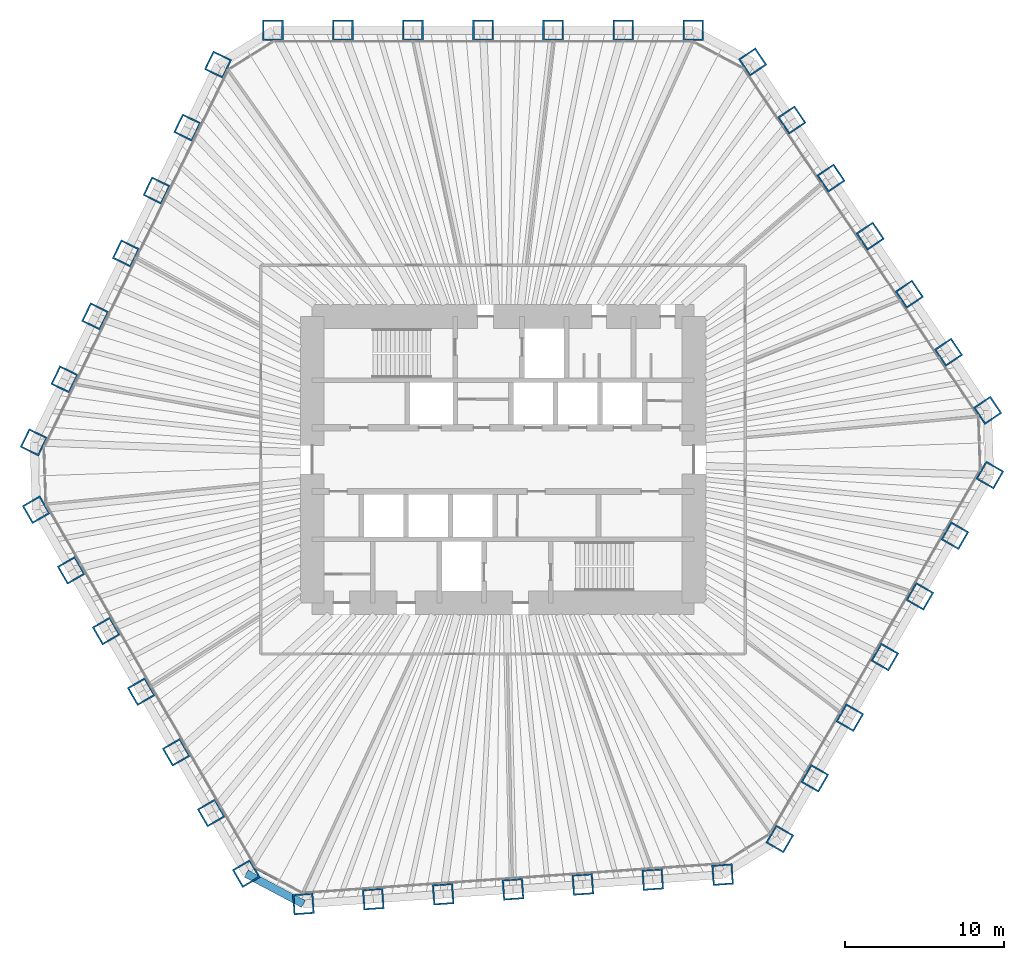
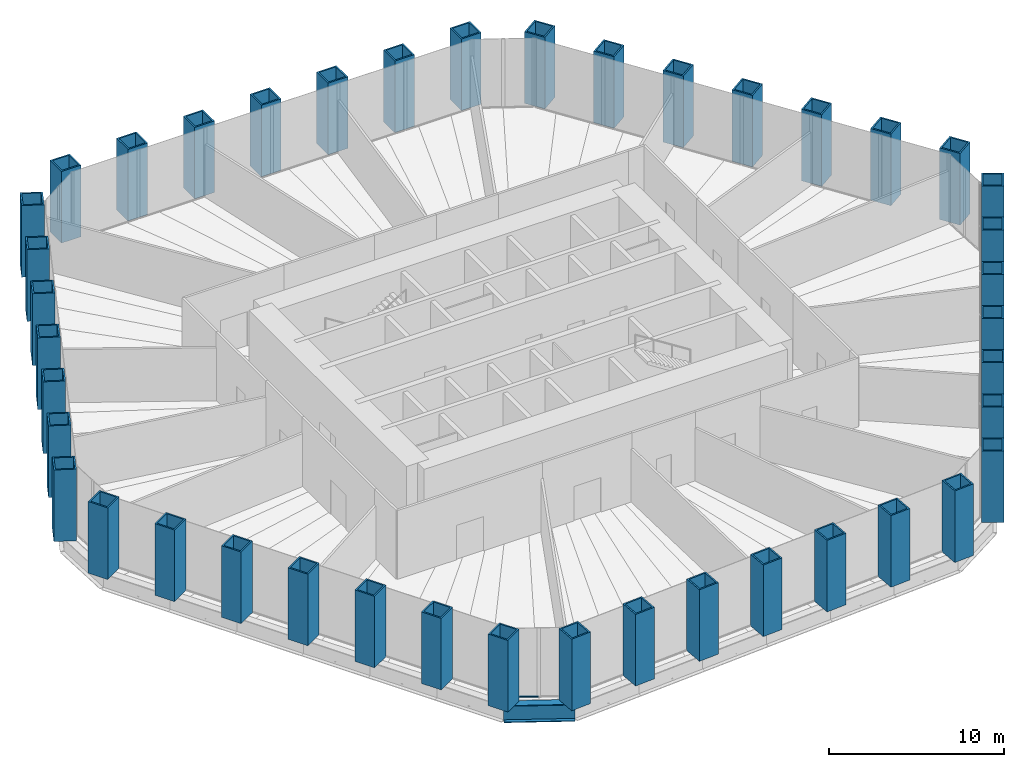
# One storey, part 1 of 13: 42 columns, 1 beam, 1 member, 1 element without a shape of its own.
"""IFC4 building model written with IfcOpenShell, lengths in metres."""

from ifc_helpers import new_model, si_unit, direction, frame, origin, origin_2d, place, context, subcontext, project, spatial, rectangle, hollow_rectangle, i_section, extrude, material, material_profile, profile_set, type_object, element, aggregate, save


model = new_model("IFC4")

# Units and contexts
model_context = context("Model", 3, precision=1e-05, world=origin(), true_north=direction((0.0, 1.0)))
body_context = subcontext(model_context, "Body", "Model", "MODEL_VIEW")
ifc_project = project(units=[si_unit("LENGTHUNIT", "METRE"), si_unit("AREAUNIT", "SQUARE_METRE"), si_unit("VOLUMEUNIT", "CUBIC_METRE"), si_unit("PLANEANGLEUNIT", "RADIAN"), si_unit("MASSUNIT", "GRAM", prefix="KILO")], contexts=[model_context])

# Site, building, storey
site_placement = place(None, origin())
site = spatial("IfcSite", under=ifc_project, at=site_placement, CompositionType="ELEMENT")
building_placement = place(site_placement, origin())
building = spatial("IfcBuilding", under=site, at=building_placement, Name="Qingtian Harvest Tower", CompositionType="ELEMENT")
storey_placement = place(building_placement, frame((0.0, 0.0, 67.0)))
storey = spatial("IfcBuildingStorey", under=building, at=storey_placement, Name="L13", CompositionType="ELEMENT", Elevation=67.0)

# Columns
ifc_material_1 = material(Name="Steel SM570MC", Category="steel")
ifc_material_profile_1 = material_profile(ifc_material_1, hollow_rectangle(XDim=1.300048828125, YDim=1.300048828125, WallThickness=0.10009765625, at=origin_2d()), Name="BOX1300x1300x100")
ifc_profile_set_1 = profile_set([ifc_material_profile_1], Name="Steel SM570MC")
column_type = type_object("IfcColumnType", Name="Tube column TC2 BOX1300x1300x100", PredefinedType="COLUMN", material=ifc_profile_set_1)
for number, where, z_axis, x_axis, name in (
    (1, (-14.471435546875, 27.0, 0.0), (0.0, 0.0, 1.0), (-1.0, 0.0, 0.0), "Tube column TC2 N0"),
    (2, (-10.06689453125, 27.0, 0.0), (0.0, 0.0, 1.0), (-1.0, 0.0, 0.0), "Tube column TC2 N1"),
    (3, (-5.662353515625, 27.0, 0.0), (0.0, 0.0, 1.0), (-1.0, 0.0, 0.0), "Tube column TC2 N2"),
    (4, (-1.257568359375, 27.0, 0.0), (0.0, 0.0, 1.0), (-1.0, 0.0, 0.0), "Tube column TC2 N3"),
    (5, (3.14697265625, 27.0, 0.0), (0.0, 0.0, 1.0), (-1.0, 0.0, 0.0), "Tube column TC2 N4"),
    (6, (7.551513671875, 27.0, 0.0), (0.0, 0.0, 1.0), (-1.0, 0.0, 0.0), "Tube column TC2 N5"),
    (7, (11.9560546875, 27.0, 0.0), (0.0, 0.0, 1.0), (-1.0, 0.0, 0.0), "Tube column TC2 N6"),
    (8, (15.6982421875, 25.01025390625, 0.0), (0.0, 0.0, 1.0), (-0.559192903471, 0.829037572555, 0.0), "Tube column TC2 NE0"),
    (9, (18.1611328125, 21.358642578125, 0.0), (0.0, 0.0, 1.0), (-0.559192903471, 0.829037572555, 0.0), "Tube column TC2 NE1"),
    (10, (20.624267578125, 17.70703125, 0.0), (0.0, 0.0, 1.0), (-0.559192903471, 0.829037572555, 0.0), "Tube column TC2 NE2"),
    (11, (23.08740234375, 14.0556640625, 0.0), (0.0, 0.0, 1.0), (-0.559192903471, 0.829037572555, 0.0), "Tube column TC2 NE3"),
    (12, (25.55029296875, 10.404052734375, 0.0), (0.0, 0.0, 1.0), (-0.559192903471, 0.829037572555, 0.0), "Tube column TC2 NE4"),
    (13, (28.013427734375, 6.75244140625, 0.0), (0.0, 0.0, 1.0), (-0.559192903471, 0.829037572555, 0.0), "Tube column TC2 NE5"),
    (14, (30.476318359375, 3.100830078125, 0.0), (0.0, 0.0, 1.0), (-0.559192903471, 0.829037572555, 0.0), "Tube column TC2 NE6"),
    (15, (30.618408203125, -0.96728515625, 0.0), (0.0, 0.0, 1.0), (0.5, 0.866025403784, 0.0), "Tube column TC2 SE0"),
    (16, (28.416015625, -4.78173828125, 0.0), (0.0, 0.0, 1.0), (0.5, 0.866025403784, 0.0), "Tube column TC2 SE1"),
    (17, (26.2138671875, -8.596435546875, 0.0), (0.0, 0.0, 1.0), (0.5, 0.866025403784, 0.0), "Tube column TC2 SE2"),
    (18, (24.011474609375, -12.410888671875, 0.0), (0.0, 0.0, 1.0), (0.5, 0.866025403784, 0.0), "Tube column TC2 SE3"),
    (19, (21.809326171875, -16.225341796875, 0.0), (0.0, 0.0, 1.0), (0.5, 0.866025403784, 0.0), "Tube column TC2 SE4"),
    (20, (19.60693359375, -20.039794921875, 0.0), (0.0, 0.0, 1.0), (0.5, 0.866025403784, 0.0), "Tube column TC2 SE5"),
    (21, (17.404541015625, -23.854248046875, 0.0), (0.0, 0.0, 1.0), (0.5, 0.866025403784, 0.0), "Tube column TC2 SE6"),
    (22, (13.810546875, -26.10009765625, 0.0), (0.0, 0.0, 1.0), (0.99756405026, 0.069756473744, 0.0), "Tube column TC2 S0"),
    (23, (9.41650390625, -26.407470703125, 0.0), (0.0, 0.0, 1.0), (0.99756405026, 0.069756473744, 0.0), "Tube column TC2 S1"),
    (24, (5.022705078125, -26.714599609375, 0.0), (0.0, 0.0, 1.0), (0.99756405026, 0.069756473744, 0.0), "Tube column TC2 S2"),
    (25, (0.62890625, -27.02197265625, 0.0), (0.0, 0.0, 1.0), (0.99756405026, 0.069756473744, 0.0), "Tube column TC2 S3"),
    (26, (-3.76513671875, -27.3291015625, 0.0), (0.0, 0.0, 1.0), (0.99756405026, 0.069756473744, 0.0), "Tube column TC2 S4"),
    (27, (-8.158935546875, -27.636474609375, 0.0), (0.0, 0.0, 1.0), (0.99756405026, 0.069756473744, 0.0), "Tube column TC2 S5"),
    (28, (-12.552734375, -27.943603515625, 0.0), (0.0, 0.0, 1.0), (0.99756405026, 0.069756473744, 0.0), "Tube column TC2 S6"),
    (29, (-16.14697265625, -26.03271484375, 0.0), (0.0, 0.0, 1.0), (0.5, -0.866025403784, 0.0), "Tube column TC2 SW0"),
    (30, (-18.349365234375, -22.21826171875, 0.0), (0.0, 0.0, 1.0), (0.5, -0.866025403784, 0.0), "Tube column TC2 SW1"),
    (31, (-20.551513671875, -18.403564453125, 0.0), (0.0, 0.0, 1.0), (0.5, -0.866025403784, 0.0), "Tube column TC2 SW2"),
    (32, (-22.75390625, -14.589111328125, 0.0), (0.0, 0.0, 1.0), (0.5, -0.866025403784, 0.0), "Tube column TC2 SW3"),
    (33, (-24.9560546875, -10.774658203125, 0.0), (0.0, 0.0, 1.0), (0.5, -0.866025403784, 0.0), "Tube column TC2 SW4"),
    (34, (-27.158447265625, -6.960205078125, 0.0), (0.0, 0.0, 1.0), (0.5, -0.866025403784, 0.0), "Tube column TC2 SW5"),
    (35, (-29.36083984375, -3.145751953125, 0.0), (0.0, 0.0, 1.0), (0.5, -0.866025403784, 0.0), "Tube column TC2 SW6"),
    (36, (-29.5087890625, 1.08984375, 0.0), (0.0, 0.0, 1.0), (-0.438371146789, -0.898794046299, 0.0), "Tube column TC2 NW0"),
    (37, (-27.577880859375, 5.048828125, 0.0), (0.0, 0.0, 1.0), (-0.438371146789, -0.898794046299, 0.0), "Tube column TC2 NW1"),
    (38, (-25.64697265625, 9.007568359375, 0.0), (0.0, 0.0, 1.0), (-0.438371146789, -0.898794046299, 0.0), "Tube column TC2 NW2"),
    (39, (-23.716064453125, 12.96630859375, 0.0), (0.0, 0.0, 1.0), (-0.438371146789, -0.898794046299, 0.0), "Tube column TC2 NW3"),
    (40, (-21.78515625, 16.92529296875, 0.0), (0.0, 0.0, 1.0), (-0.438371146789, -0.898794046299, 0.0), "Tube column TC2 NW4"),
    (41, (-19.8544921875, 20.884033203125, 0.0), (0.0, 0.0, 1.0), (-0.438371146789, -0.898794046299, 0.0), "Tube column TC2 NW5"),
    (42, (-17.923583984375, 24.8427734375, 0.0), (0.0, 0.0, 1.0), (-0.438371146789, -0.898794046299, 0.0), "Tube column TC2 NW6"),
):
    element("IfcColumn", number, at=place(storey_placement, frame(where, z_axis=z_axis, x_axis=x_axis)), inside=storey, type_object=column_type, Name=name, PredefinedType="COLUMN", context=body_context, shape_type="SweptSolid", body=[
        extrude(hollow_rectangle(XDim=1.300048828125, YDim=1.300048828125, WallThickness=0.10009765625, at=origin_2d()), origin(), (0.0, 0.0, 1.0), 5.0),
    ])

# Beam
ifc_material_2 = material(Name="Steel SM570MC", Category="steel")
ifc_material_profile_2 = material_profile(ifc_material_2, i_section(OverallWidth=0.5, OverallDepth=1.199951171875, WebThickness=0.02490234375, FlangeThickness=0.050048828125, at=origin_2d()), Name="H1200x500x25x50")
ifc_profile_set_2 = profile_set([ifc_material_profile_2], Name="Steel SM570MC")
beam_type = type_object("IfcBeamType", Name="Spandrel beam SB1 H1200x500x25x50", PredefinedType="SPANDREL", material=ifc_profile_set_2)
beam_placement = place(storey_placement, frame((-12.552734375, -27.943603515625, -0.60009765625), z_axis=(-0.882968133669, 0.469432929101, 0.0), x_axis=(-0.469432929101, -0.882968133669, 0.0)))
element("IfcBeam", 43, at=beam_placement, inside=storey, type_object=beam_type, Name="Spandrel SB1 SC", PredefinedType="SPANDREL", context=body_context, shape_type="SweptSolid", body=[
    extrude(i_section(OverallWidth=0.5, OverallDepth=1.199951171875, WebThickness=0.02490234375, FlangeThickness=0.050048828125, at=origin_2d()), origin(), (0.0, 0.0, 1.0), 4.070556640625),
])

# Curtain wall, member
ifc_material_3 = material(Name="Bronze-anodised aluminium curtain wall", Category="aluminium")
curtain_wall_type = type_object("IfcCurtainWallType", Name="Curtain wall CW2 farm reception", PredefinedType="USERDEFINED", material=ifc_material_3)
curtain_wall_placement = place(storey_placement, origin())
curtain_wall = element("IfcCurtainWall", 44, at=curtain_wall_placement, inside=storey, type_object=curtain_wall_type, Name="Curtain wall CW2 L13 SC", ObjectType="RECESSED CURTAIN WALL", PredefinedType="USERDEFINED")
ifc_material_4 = material(Name="Bronze-anodised aluminium transom", Category="aluminium")
ifc_material_profile_3 = material_profile(ifc_material_4, rectangle(XDim=0.14990234375, YDim=0.06494140625, at=origin_2d()), Name="AL 65x150")
ifc_profile_set_3 = profile_set([ifc_material_profile_3], Name="Bronze-anodised aluminium transom")
member_type = type_object("IfcMemberType", Name="Transom CWT 65x150", PredefinedType="USERDEFINED", material=ifc_profile_set_3)
member_placement = place(storey_placement, frame((-14.099853515625, -26.44873046875, 0.032470703125), z_axis=(-0.882960338349, 0.46944759122, 0.0), x_axis=(-0.46944759122, -0.882960338349, 0.0)))
member = element("IfcMember", 45, at=member_placement, type_object=member_type, Name="CW2 transom 2.1", ObjectType="TRANSOM", PredefinedType="USERDEFINED", context=body_context, shape_type="SweptSolid", body=[
    extrude(rectangle(XDim=0.14990234375, YDim=0.06494140625, at=origin_2d()), origin(), (0.0, 0.0, 1.0), 1.56689453125),
])
aggregate(curtain_wall, [member])

save(model, "model.ifc")
